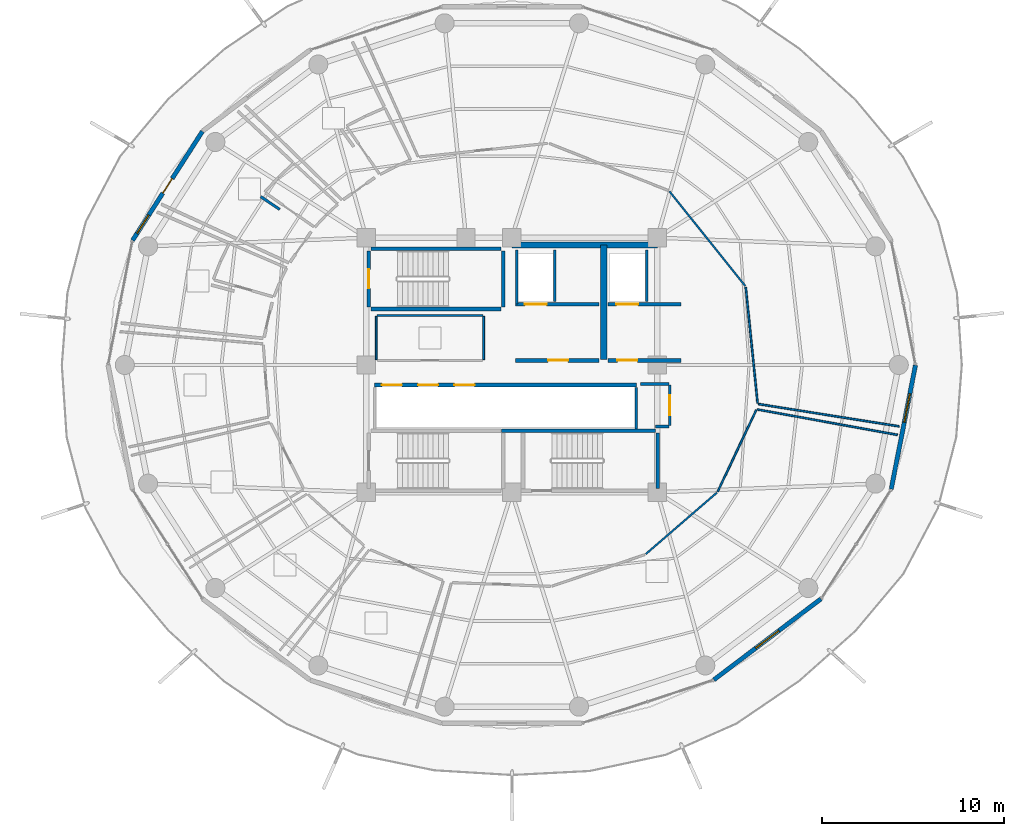
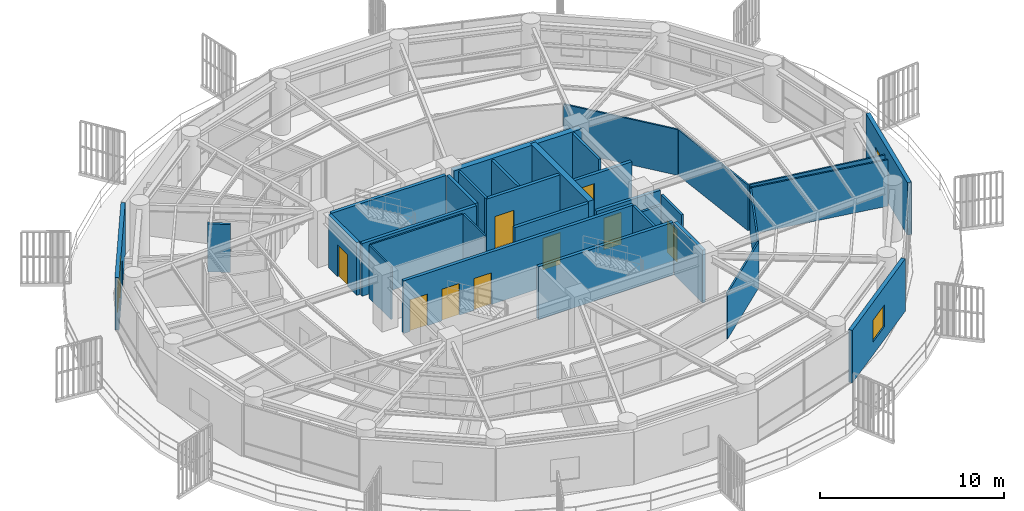
# One storey, part 25 of 31: 33 walls, 10 doors, 3 windows, 13 openings.
"""IFC4 building model written with IfcOpenShell, lengths in metres."""

from ifc_helpers import new_model, si_unit, direction, frame, frame_2d, origin, place, context, subcontext, project, spatial, rectangle, extrude, material, layer, layer_set, type_object, element, fill, save


model = new_model("IFC4")

# Units and contexts
model_context = context("Model", 3, precision=1e-05, world=origin(), true_north=direction((0.0, 1.0)))
body_context = subcontext(model_context, "Body", "Model", "MODEL_VIEW")
ifc_project = project(units=[si_unit("LENGTHUNIT", "METRE"), si_unit("AREAUNIT", "SQUARE_METRE"), si_unit("VOLUMEUNIT", "CUBIC_METRE"), si_unit("PLANEANGLEUNIT", "RADIAN"), si_unit("MASSUNIT", "GRAM", prefix="KILO")], contexts=[model_context])

# Site, building, storey
site_placement = place(None, origin())
site = spatial("IfcSite", under=ifc_project, at=site_placement, CompositionType="ELEMENT")
building_placement = place(site_placement, origin())
building = spatial("IfcBuilding", under=site, at=building_placement, Name="Kelanora Arch Commons", CompositionType="ELEMENT")
storey_placement = place(building_placement, frame((0.0, 0.0, 223.199951171875)))
storey = spatial("IfcBuildingStorey", under=building, at=storey_placement, Name="L57", CompositionType="ELEMENT", Elevation=223.199951171875)

# Walls
ifc_material_1 = material(Name="Autoclaved aerated concrete blockwork with fire plaster", Category="masonry")
ifc_layer_1 = layer(ifc_material_1, 0.14990234375)
ifc_layer_set_1 = layer_set([ifc_layer_1], Name="Autoclaved aerated concrete blockwork with fire plaster")
wall_type_1 = type_object("IfcWallType", Name="W-COMP-150", PredefinedType="PARTITIONING", material=ifc_layer_set_1)
wall_1_placement = place(storey_placement, frame((74.280029296875, 61.35009765625, 0.0), z_axis=(0.0, 0.0, 1.0), x_axis=(0.0, 1.0, 0.0)))
element("IfcWall", 1, at=wall_1_placement, inside=storey, type_object=wall_type_1, Name="Firefighting Lift 1 West Shaft Wall L57", PredefinedType="PARTITIONING", context=body_context, shape_type="SweptSolid", body=[
    extrude(rectangle(XDim=2.969970703125, YDim=0.14990234375, at=frame_2d((1.48486328125, 0.0))), origin(), (0.0, 0.0, 1.0), 3.47998046875),
])
for number, where, z_axis, x_axis, name in (
    (2, (76.360107421875, 61.47998046875, 0.0), (0.0, 0.0, 1.0), (0.0, 1.0, 0.0), "Firefighting Lift 1 East Shaft Wall L57"),
    (3, (81.419921875, 61.47998046875, 0.0), (0.0, 0.0, 1.0), (0.0, 1.0, 0.0), "Firefighting Lift 2 East Shaft Wall L57"),
):
    element("IfcWall", number, at=place(storey_placement, frame(where, z_axis=z_axis, x_axis=x_axis)), inside=storey, type_object=wall_type_1, Name=name, PredefinedType="PARTITIONING", context=body_context, shape_type="SweptSolid", body=[
        extrude(rectangle(XDim=2.840087890625, YDim=0.14990234375, at=frame_2d((1.419921875, 0.0))), origin(), (0.0, 0.0, 1.0), 3.47998046875),
    ])
wall_2_placement = place(storey_placement, frame((80.840087890625, 54.47998046875, 0.0), z_axis=(0.0, 0.0, 1.0), x_axis=(0.0, 1.0, 0.0)))
element("IfcWall", 4, at=wall_2_placement, inside=storey, type_object=wall_type_1, Name="South Lift Bank East Wall L57", PredefinedType="PARTITIONING", context=body_context, shape_type="SweptSolid", body=[
    extrude(rectangle(XDim=2.2900390625, YDim=0.14990234375, at=frame_2d((1.14501953125, 0.0))), origin(), (0.0, 0.0, 1.0), 3.47998046875),
])

# Wall, opening, door
wall_3_placement = place(storey_placement, frame((82.679931640625, 54.679931640625, 0.0), z_axis=(0.0, 0.0, 1.0), x_axis=(0.0, 1.0, 0.0)))
wall_3 = element("IfcWall", 5, at=wall_3_placement, inside=storey, type_object=wall_type_1, Name="Core Housekeeping Store L57 Entry Partition", PredefinedType="PARTITIONING", context=body_context, shape_type="SweptSolid", body=[
    extrude(rectangle(XDim=2.2099609375, YDim=0.14990234375, at=frame_2d((1.10498046875, 0.0))), origin(), (0.0, 0.0, 1.0), 3.47998046875),
])
opening_1_placement = place(wall_3_placement, frame((0.56494140625, 0.0, 0.0)))
opening_1 = element("IfcOpeningElement", 6, at=opening_1_placement, cuts=wall_3, Name="Opening D-PLT1", PredefinedType="OPENING", context=body_context, shape_type="SweptSolid", body=[
    extrude(rectangle(XDim=1.080078125, YDim=2.10009765625, at=frame_2d((0.5400390625, 1.050048828125))), frame((0.0, 0.0849609375, 0.0), z_axis=(0.0, -1.0, 0.0), x_axis=(1.0, 0.0, 0.0)), (0.0, 0.0, 1.0), 0.169921875),
])
ifc_material_2 = material(Name="Galvanised steel plant and riser fire door", Category="steel")
door_type_1 = type_object("IfcDoorType", Name="D-PLT-110", OperationType="NOTDEFINED", PredefinedType="DOOR", material=ifc_material_2)
door_1_placement = place(opening_1_placement, origin())
door_1 = element("IfcDoor", 7, at=door_1_placement, inside=storey, type_object=door_type_1, Name="Core Housekeeping Store L57 Door", OperationType="SINGLE_SWING_LEFT", OverallHeight=2.10009765625, OverallWidth=1.080078125, PredefinedType="DOOR", context=body_context, shape_type="SweptSolid", body=[
    extrude(rectangle(XDim=1.080078125, YDim=2.10009765625, at=frame_2d((0.5400390625, 1.050048828125))), frame((0.0, 0.02490234375, 0.0), z_axis=(0.0, -1.0, 0.0), x_axis=(1.0, 0.0, 0.0)), (0.0, 0.0, 1.0), 0.050048828125),
])
fill(opening_1, door_1)

# Walls
wall_4_placement = place(storey_placement, frame((81.89990234375, 54.6201171875, 0.0), z_axis=(0.0, 0.0, 1.0), x_axis=(1.0, 0.0, 0.0)))
element("IfcWall", 8, at=wall_4_placement, inside=storey, type_object=wall_type_1, Name="Core Housekeeping Store L57 Enclosure Partition 1", PredefinedType="PARTITIONING", context=body_context, shape_type="SweptSolid", body=[
    extrude(rectangle(XDim=0.739990234375, YDim=0.14990234375, at=frame_2d((0.3701171875, 0.0))), origin(), (0.0, 0.0, 1.0), 2.775146484375),
])
wall_5_placement = place(storey_placement, frame((82.639892578125, 56.949951171875, 0.0), z_axis=(0.0, 0.0, 1.0), x_axis=(-1.0, 0.0, 0.0)))
element("IfcWall", 9, at=wall_5_placement, inside=storey, type_object=wall_type_1, Name="Core Housekeeping Store L57 Enclosure Partition 3", PredefinedType="PARTITIONING", context=body_context, shape_type="SweptSolid", body=[
    extrude(rectangle(XDim=1.5498046875, YDim=0.14990234375, at=frame_2d((0.77490234375, 0.0))), origin(), (0.0, 0.0, 1.0), 2.775146484375),
])
wall_6_placement = place(storey_placement, frame((60.1953125, 67.255615234375, 0.0), z_axis=(0.0, 0.0, 1.0), x_axis=(0.830279043522, -0.557347925347, 0.0)))
element("IfcWall", 10, at=wall_6_placement, inside=storey, type_object=wall_type_1, Name="Cluster Bedroom L57-02 Enclosure Partition 7", PredefinedType="PARTITIONING", context=body_context, shape_type="SweptSolid", body=[
    extrude(rectangle(XDim=1.254150390625, YDim=0.14990234375, at=frame_2d((0.626953125, 0.0))), origin(), (0.0, 0.0, 1.0), 3.175048828125),
])
ifc_material_3 = material(Name="Concrete C50/60", Category="concrete")
ifc_layer_2 = layer(ifc_material_3, 0.35009765625)
ifc_layer_set_2 = layer_set([ifc_layer_2], Name="Concrete C50/60")
wall_type_2 = type_object("IfcWallType", Name="W-CORE-350", PredefinedType="SHEAR", material=ifc_layer_set_2)
wall_7_placement = place(storey_placement, frame((74.0, 64.60009765625, 0.0), z_axis=(0.0, 0.0, 1.0), x_axis=(1.0, 0.0, 0.0)))
element("IfcWall", 11, at=wall_7_placement, inside=storey, type_object=wall_type_2, Name="Core Shear Spine L57-CN-E", PredefinedType="SHEAR", context=body_context, shape_type="SweptSolid", body=[
    extrude(rectangle(XDim=8.0, YDim=0.35009765625, at=frame_2d((4.0, 0.0))), origin(), (0.0, 0.0, 1.0), 3.489990234375),
])
wall_8_placement = place(storey_placement, frame((79.050048828125, 58.300048828125, 0.0), z_axis=(0.0, 0.0, 1.0), x_axis=(0.0, 1.0, 0.0)))
element("IfcWall", 12, at=wall_8_placement, inside=storey, type_object=wall_type_2, Name="Core Shear Spine L57-CE-N", PredefinedType="SHEAR", context=body_context, shape_type="SweptSolid", body=[
    extrude(rectangle(XDim=6.300048828125, YDim=0.35009765625, at=frame_2d((3.14990234375, 0.0))), origin(), (0.0, 0.0, 1.0), 3.489990234375),
])

# Wall, openings, door, window
ifc_material_4 = material(Name="Precast concrete C40/50 upper-zone terracotta rainscreen", Category="masonry")
ifc_layer_3 = layer(ifc_material_4, 0.239990234375)
ifc_layer_set_3 = layer_set([ifc_layer_3], Name="Precast concrete C40/50 upper-zone terracotta rainscreen")
wall_type_3 = type_object("IfcWallType", Name="W-EXT-TC2", PredefinedType="SOLIDWALL", material=ifc_layer_set_3)
wall_9_placement = place(storey_placement, frame((56.985595703125, 70.84326171875, 0.0), z_axis=(0.0, 0.0, 1.0), x_axis=(-0.539539512973, -0.841960280501, 0.0)))
wall_9 = element("IfcWall", 13, at=wall_9_placement, inside=storey, type_object=wall_type_3, Name="Terracotta Exterior Wall L57-B07", PredefinedType="SOLIDWALL", context=body_context, shape_type="SweptSolid", body=[
    extrude(rectangle(XDim=7.11474609375, YDim=0.239990234375, at=frame_2d((3.557373046875, 0.0))), origin(), (0.0, 0.0, 1.0), 3.47509765625),
])
opening_2_placement = place(wall_9_placement, frame((3.08203125, 0.0, 0.0)))
opening_2 = element("IfcOpeningElement", 14, at=opening_2_placement, cuts=wall_9, Name="Opening DB-01", PredefinedType="OPENING", context=body_context, shape_type="SweptSolid", body=[
    extrude(rectangle(XDim=0.949951171875, YDim=2.10009765625, at=frame_2d((0.47509765625, 1.050048828125))), frame((0.0, 0.1298828125, 0.0), z_axis=(0.0, -1.0, 0.0), x_axis=(1.0, 0.0, 0.0)), (0.0, 0.0, 1.0), 0.260009765625),
])
opening_3_placement = place(wall_9_placement, frame((5.4619140625, 0.0, 0.85009765625)))
opening_3 = element("IfcOpeningElement", 15, at=opening_3_placement, cuts=wall_9, Name="Opening WN-02", PredefinedType="OPENING", context=body_context, shape_type="SweptSolid", body=[
    extrude(rectangle(XDim=1.199951171875, YDim=1.449951171875, at=frame_2d((0.60009765625, 0.72509765625))), frame((0.0, 0.1298828125, 0.0), z_axis=(0.0, -1.0, 0.0), x_axis=(1.0, 0.0, 0.0)), (0.0, 0.0, 1.0), 0.260009765625),
])
ifc_material_5 = material(Name="Terracotta-aluminium thermally broken glazed balcony door", Category="masonry")
door_type_2 = type_object("IfcDoorType", Name="D-BAL-10", OperationType="NOTDEFINED", PredefinedType="DOOR", material=ifc_material_5)
door_2_placement = place(opening_2_placement, frame((0.949951171875, 0.0, 0.0), z_axis=(0.0, 0.0, 1.0), x_axis=(-1.0, 0.0, 0.0)))
door_2 = element("IfcDoor", 16, at=door_2_placement, inside=storey, type_object=door_type_2, Name="Wave Balcony Door L57-B07", OperationType="SINGLE_SWING_LEFT", OverallHeight=2.10009765625, OverallWidth=0.949951171875, PredefinedType="DOOR", context=body_context, shape_type="SweptSolid", body=[
    extrude(rectangle(XDim=0.949951171875, YDim=2.10009765625, at=frame_2d((0.47509765625, 1.050048828125))), frame((0.0, 0.02490234375, 0.0), z_axis=(0.0, -1.0, 0.0), x_axis=(1.0, 0.0, 0.0)), (0.0, 0.0, 1.0), 0.050048828125),
])
fill(opening_2, door_2)
ifc_material_6 = material(Name="Terracotta-anodised aluminium frame with operable awning sash", Category="masonry")
window_type_1 = type_object("IfcWindowType", Name="WIN-CL-12", PartitioningType="SINGLE_PANEL", PredefinedType="WINDOW", material=ifc_material_6)
window_1_placement = place(opening_3_placement, origin())
window_1 = element("IfcWindow", 17, at=window_1_placement, inside=storey, type_object=window_type_1, Name="Co-Living Operable Window L57-B07", OverallHeight=1.449951171875, OverallWidth=1.199951171875, PartitioningType="SINGLE_PANEL", PredefinedType="WINDOW", context=body_context, shape_type="SweptSolid", body=[
    extrude(rectangle(XDim=1.199951171875, YDim=1.449951171875, at=frame_2d((0.60009765625, 0.72509765625))), frame((0.0, 0.030029296875, 0.0), z_axis=(0.0, -1.0, 0.0), x_axis=(1.0, 0.0, 0.0)), (0.0, 0.0, 1.0), 0.06005859375),
])
fill(opening_3, window_1)

# Wall, opening, window
wall_10_placement = place(storey_placement, frame((85.112060546875, 40.6884765625, 0.0), z_axis=(0.0, 0.0, 1.0), x_axis=(0.797701674595, 0.603052268338, 0.0)))
wall_10 = element("IfcWall", 18, at=wall_10_placement, inside=storey, type_object=wall_type_3, Name="Terracotta Exterior Wall L57-B15", PredefinedType="SOLIDWALL", context=body_context, shape_type="SweptSolid", body=[
    extrude(rectangle(XDim=7.373779296875, YDim=0.239990234375, at=frame_2d((3.68701171875, 0.0))), origin(), (0.0, 0.0, 1.0), 3.47509765625),
])
opening_4_placement = place(wall_10_placement, frame((2.886962890625, 0.0, 0.85009765625)))
opening_4 = element("IfcOpeningElement", 19, at=opening_4_placement, cuts=wall_10, Name="Opening WN-01", PredefinedType="OPENING", context=body_context, shape_type="SweptSolid", body=[
    extrude(rectangle(XDim=1.60009765625, YDim=1.449951171875, at=frame_2d((0.800048828125, 0.72509765625))), frame((0.0, 0.1298828125, 0.0), z_axis=(0.0, -1.0, 0.0), x_axis=(1.0, 0.0, 0.0)), (0.0, 0.0, 1.0), 0.260009765625),
])
ifc_material_7 = material(Name="Terracotta-anodised aluminium frame with operable low-E glazing", Category="masonry")
window_type_2 = type_object("IfcWindowType", Name="WIN-CL-18", PartitioningType="DOUBLE_PANEL_VERTICAL", PredefinedType="WINDOW", material=ifc_material_7)
window_2_placement = place(opening_4_placement, origin())
window_2 = element("IfcWindow", 20, at=window_2_placement, inside=storey, type_object=window_type_2, Name="Co-Living Operable Window L57-B15", OverallHeight=1.449951171875, OverallWidth=1.60009765625, PartitioningType="SINGLE_PANEL", PredefinedType="WINDOW", context=body_context, shape_type="SweptSolid", body=[
    extrude(rectangle(XDim=1.60009765625, YDim=1.449951171875, at=frame_2d((0.800048828125, 0.72509765625))), frame((0.0, 0.030029296875, 0.0), z_axis=(0.0, -1.0, 0.0), x_axis=(1.0, 0.0, 0.0)), (0.0, 0.0, 1.0), 0.06005859375),
])
fill(opening_4, window_2)

wall_11_placement = place(storey_placement, frame((94.864013671875, 51.17431640625, 0.0), z_axis=(0.0, 0.0, 1.0), x_axis=(0.192069055673, 0.981381413036, 0.0)))
wall_11 = element("IfcWall", 21, at=wall_11_placement, inside=storey, type_object=wall_type_3, Name="Terracotta Exterior Wall L57-B17", PredefinedType="SOLIDWALL", context=body_context, shape_type="SweptSolid", body=[
    extrude(rectangle(XDim=6.940185546875, YDim=0.239990234375, at=frame_2d((3.47021484375, 0.0))), origin(), (0.0, 0.0, 1.0), 3.47509765625),
])
opening_5_placement = place(wall_11_placement, frame((3.75, 0.0, 0.85009765625)))
opening_5 = element("IfcOpeningElement", 22, at=opening_5_placement, cuts=wall_11, Name="Opening WN-01", PredefinedType="OPENING", context=body_context, shape_type="SweptSolid", body=[
    extrude(rectangle(XDim=1.60009765625, YDim=1.449951171875, at=frame_2d((0.800048828125, 0.72509765625))), frame((0.0, 0.1298828125, 0.0), z_axis=(0.0, -1.0, 0.0), x_axis=(1.0, 0.0, 0.0)), (0.0, 0.0, 1.0), 0.260009765625),
])
window_3_placement = place(opening_5_placement, origin())
window_3 = element("IfcWindow", 23, at=window_3_placement, inside=storey, type_object=window_type_2, Name="Co-Living Operable Window L57-B17", OverallHeight=1.449951171875, OverallWidth=1.60009765625, PartitioningType="SINGLE_PANEL", PredefinedType="WINDOW", context=body_context, shape_type="SweptSolid", body=[
    extrude(rectangle(XDim=1.60009765625, YDim=1.449951171875, at=frame_2d((0.800048828125, 0.72509765625))), frame((0.0, 0.030029296875, 0.0), z_axis=(0.0, -1.0, 0.0), x_axis=(1.0, 0.0, 0.0)), (0.0, 0.0, 1.0), 0.06005859375),
])
fill(opening_5, window_3)

# Wall, opening, door
ifc_material_8 = material(Name="Concrete C40/50", Category="concrete")
ifc_layer_4 = layer(ifc_material_8, 0.199951171875)
ifc_layer_set_4 = layer_set([ifc_layer_4], Name="Concrete C40/50")
wall_type_4 = type_object("IfcWallType", Name="W-FFL-200", PredefinedType="SOLIDWALL", material=ifc_layer_set_4)
wall_12_placement = place(storey_placement, frame((74.199951171875, 61.35009765625, 0.0), z_axis=(0.0, 0.0, 1.0), x_axis=(1.0, 0.0, 0.0)))
wall_12 = element("IfcWall", 24, at=wall_12_placement, inside=storey, type_object=wall_type_4, Name="Firefighting Lift 1 Shaft Front L57", PredefinedType="SOLIDWALL", context=body_context, shape_type="SweptSolid", body=[
    extrude(rectangle(XDim=4.60009765625, YDim=0.199951171875, at=frame_2d((2.300048828125, 0.0))), origin(), (0.0, 0.0, 1.0), 3.47998046875),
])
opening_6_placement = place(wall_12_placement, frame((0.52001953125, 0.0, 0.0)))
opening_6 = element("IfcOpeningElement", 25, at=opening_6_placement, cuts=wall_12, Name="Opening LD-FF", PredefinedType="OPENING", context=body_context, shape_type="SweptSolid", body=[
    extrude(rectangle(XDim=1.199951171875, YDim=2.14990234375, at=frame_2d((0.60009765625, 1.074951171875))), frame((0.0, 0.10986328125, 0.0), z_axis=(0.0, -1.0, 0.0), x_axis=(1.0, 0.0, 0.0)), (0.0, 0.0, 1.0), 0.219970703125),
])
ifc_material_9 = material(Name="Fire-rated firefighters lift sliding landing door")
door_type_3 = type_object("IfcDoorType", Name="D-LIFT-FF", OperationType="NOTDEFINED", PredefinedType="DOOR", material=ifc_material_9)
door_3_placement = place(opening_6_placement, origin())
door_3 = element("IfcDoor", 26, at=door_3_placement, inside=storey, type_object=door_type_3, Name="Firefighting Lift LF-FF1 Landing Door L57", OperationType="DOUBLE_DOOR_SLIDING", OverallHeight=2.14990234375, OverallWidth=1.199951171875, PredefinedType="DOOR", context=body_context, shape_type="SweptSolid", body=[
    extrude(rectangle(XDim=1.199951171875, YDim=2.14990234375, at=frame_2d((0.60009765625, 1.074951171875))), frame((0.0, 0.02490234375, 0.0), z_axis=(0.0, -1.0, 0.0), x_axis=(1.0, 0.0, 0.0)), (0.0, 0.0, 1.0), 0.050048828125),
])
fill(opening_6, door_3)

wall_13_placement = place(storey_placement, frame((79.300048828125, 61.35009765625, 0.0), z_axis=(0.0, 0.0, 1.0), x_axis=(1.0, 0.0, 0.0)))
wall_13 = element("IfcWall", 27, at=wall_13_placement, inside=storey, type_object=wall_type_4, Name="Firefighting Lift 2 Shaft Front L57", PredefinedType="SOLIDWALL", context=body_context, shape_type="SweptSolid", body=[
    extrude(rectangle(XDim=4.0, YDim=0.199951171875, at=frame_2d((2.0, 0.0))), origin(), (0.0, 0.0, 1.0), 2.775146484375),
])
opening_7_placement = place(wall_13_placement, frame((0.449951171875, 0.0, 0.0)))
opening_7 = element("IfcOpeningElement", 28, at=opening_7_placement, cuts=wall_13, Name="Opening LD-FF", PredefinedType="OPENING", context=body_context, shape_type="SweptSolid", body=[
    extrude(rectangle(XDim=1.199951171875, YDim=2.14990234375, at=frame_2d((0.60009765625, 1.074951171875))), frame((0.0, 0.10986328125, 0.0), z_axis=(0.0, -1.0, 0.0), x_axis=(1.0, 0.0, 0.0)), (0.0, 0.0, 1.0), 0.219970703125),
])
door_4_placement = place(opening_7_placement, origin())
door_4 = element("IfcDoor", 29, at=door_4_placement, inside=storey, type_object=door_type_3, Name="Firefighting Lift LF-FF2 Landing Door L57", OperationType="DOUBLE_DOOR_SLIDING", OverallHeight=2.14990234375, OverallWidth=1.199951171875, PredefinedType="DOOR", context=body_context, shape_type="SweptSolid", body=[
    extrude(rectangle(XDim=1.199951171875, YDim=2.14990234375, at=frame_2d((0.60009765625, 1.074951171875))), frame((0.0, 0.02490234375, 0.0), z_axis=(0.0, -1.0, 0.0), x_axis=(1.0, 0.0, 0.0)), (0.0, 0.0, 1.0), 0.050048828125),
])
fill(opening_7, door_4)

wall_14_placement = place(storey_placement, frame((74.199951171875, 58.25, 0.0), z_axis=(0.0, 0.0, 1.0), x_axis=(1.0, 0.0, 0.0)))
wall_14 = element("IfcWall", 30, at=wall_14_placement, inside=storey, type_object=wall_type_4, Name="Firefighting Lobby 1 Enclosure Wall L57", PredefinedType="SOLIDWALL", context=body_context, shape_type="SweptSolid", body=[
    extrude(rectangle(XDim=4.60009765625, YDim=0.199951171875, at=frame_2d((2.300048828125, 0.0))), origin(), (0.0, 0.0, 1.0), 3.47998046875),
])
opening_8_placement = place(wall_14_placement, frame((1.800048828125, 0.0, 0.0)))
opening_8 = element("IfcOpeningElement", 31, at=opening_8_placement, cuts=wall_14, Name="Opening D-FFL1", PredefinedType="OPENING", context=body_context, shape_type="SweptSolid", body=[
    extrude(rectangle(XDim=1.10009765625, YDim=2.10009765625, at=frame_2d((0.550048828125, 1.050048828125))), frame((0.0, 0.10986328125, 0.0), z_axis=(0.0, -1.0, 0.0), x_axis=(1.0, 0.0, 0.0)), (0.0, 0.0, 1.0), 0.219970703125),
])
ifc_material_10 = material(Name="Smoke-sealed firefighting lobby fire door")
door_type_4 = type_object("IfcDoorType", Name="D-FFL-110", OperationType="NOTDEFINED", PredefinedType="DOOR", material=ifc_material_10)
door_5_placement = place(opening_8_placement, frame((1.10009765625, 0.0, 0.0), z_axis=(0.0, 0.0, 1.0), x_axis=(-1.0, 0.0, 0.0)))
door_5 = element("IfcDoor", 32, at=door_5_placement, inside=storey, type_object=door_type_4, Name="Firefighting Lobby 1 Door L57", OperationType="SINGLE_SWING_LEFT", OverallHeight=2.10009765625, OverallWidth=1.10009765625, PredefinedType="DOOR", context=body_context, shape_type="SweptSolid", body=[
    extrude(rectangle(XDim=1.10009765625, YDim=2.10009765625, at=frame_2d((0.550048828125, 1.050048828125))), frame((0.0, 0.02490234375, 0.0), z_axis=(0.0, -1.0, 0.0), x_axis=(1.0, 0.0, 0.0)), (0.0, 0.0, 1.0), 0.050048828125),
])
fill(opening_8, door_5)

wall_15_placement = place(storey_placement, frame((79.300048828125, 58.25, 0.0), z_axis=(0.0, 0.0, 1.0), x_axis=(1.0, 0.0, 0.0)))
wall_15 = element("IfcWall", 33, at=wall_15_placement, inside=storey, type_object=wall_type_4, Name="Firefighting Lobby 2 Enclosure Wall L57", PredefinedType="SOLIDWALL", context=body_context, shape_type="SweptSolid", body=[
    extrude(rectangle(XDim=4.0, YDim=0.199951171875, at=frame_2d((2.0, 0.0))), origin(), (0.0, 0.0, 1.0), 2.775146484375),
])
opening_9_placement = place(wall_15_placement, frame((0.5, 0.0, 0.0)))
opening_9 = element("IfcOpeningElement", 34, at=opening_9_placement, cuts=wall_15, Name="Opening D-FFL1", PredefinedType="OPENING", context=body_context, shape_type="SweptSolid", body=[
    extrude(rectangle(XDim=1.10009765625, YDim=2.10009765625, at=frame_2d((0.550048828125, 1.050048828125))), frame((0.0, 0.10986328125, 0.0), z_axis=(0.0, -1.0, 0.0), x_axis=(1.0, 0.0, 0.0)), (0.0, 0.0, 1.0), 0.219970703125),
])
door_6_placement = place(opening_9_placement, frame((1.10009765625, 0.0, 0.0), z_axis=(0.0, 0.0, 1.0), x_axis=(-1.0, 0.0, 0.0)))
door_6 = element("IfcDoor", 35, at=door_6_placement, inside=storey, type_object=door_type_4, Name="Firefighting Lobby 2 Door L57", OperationType="SINGLE_SWING_RIGHT", OverallHeight=2.10009765625, OverallWidth=1.10009765625, PredefinedType="DOOR", context=body_context, shape_type="SweptSolid", body=[
    extrude(rectangle(XDim=1.10009765625, YDim=2.10009765625, at=frame_2d((0.550048828125, 1.050048828125))), frame((0.0, 0.02490234375, 0.0), z_axis=(0.0, -1.0, 0.0), x_axis=(1.0, 0.0, 0.0)), (0.0, 0.0, 1.0), 0.050048828125),
])
fill(opening_9, door_6)

# Wall, openings, doors
wall_16_placement = place(storey_placement, frame((66.449951171875, 56.89990234375, 0.0), z_axis=(0.0, 0.0, 1.0), x_axis=(1.0, 0.0, 0.0)))
wall_16 = element("IfcWall", 36, at=wall_16_placement, inside=storey, type_object=wall_type_4, Name="Mid/High/Express Lift Shaft Front L57", PredefinedType="SOLIDWALL", context=body_context, shape_type="SweptSolid", body=[
    extrude(rectangle(XDim=14.400146484375, YDim=0.199951171875, at=frame_2d((7.2001953125, 0.0))), origin(), (0.0, 0.0, 1.0), 3.47998046875),
])
opening_10_placement = place(wall_16_placement, frame((0.39990234375, 0.0, 0.0)))
opening_10 = element("IfcOpeningElement", 37, at=opening_10_placement, cuts=wall_16, Name="Opening LD-01", PredefinedType="OPENING", context=body_context, shape_type="SweptSolid", body=[
    extrude(rectangle(XDim=1.10009765625, YDim=2.10009765625, at=frame_2d((0.550048828125, 1.050048828125))), frame((0.0, 0.10986328125, 0.0), z_axis=(0.0, -1.0, 0.0), x_axis=(1.0, 0.0, 0.0)), (0.0, 0.0, 1.0), 0.219970703125),
])
opening_11_placement = place(wall_16_placement, frame((2.39990234375, 0.0, 0.0)))
opening_11 = element("IfcOpeningElement", 38, at=opening_11_placement, cuts=wall_16, Name="Opening LD-01", PredefinedType="OPENING", context=body_context, shape_type="SweptSolid", body=[
    extrude(rectangle(XDim=1.10009765625, YDim=2.10009765625, at=frame_2d((0.550048828125, 1.050048828125))), frame((0.0, 0.10986328125, 0.0), z_axis=(0.0, -1.0, 0.0), x_axis=(1.0, 0.0, 0.0)), (0.0, 0.0, 1.0), 0.219970703125),
])
opening_12_placement = place(wall_16_placement, frame((4.39990234375, 0.0, 0.0)))
opening_12 = element("IfcOpeningElement", 39, at=opening_12_placement, cuts=wall_16, Name="Opening LD-01", PredefinedType="OPENING", context=body_context, shape_type="SweptSolid", body=[
    extrude(rectangle(XDim=1.10009765625, YDim=2.10009765625, at=frame_2d((0.550048828125, 1.050048828125))), frame((0.0, 0.10986328125, 0.0), z_axis=(0.0, -1.0, 0.0), x_axis=(1.0, 0.0, 0.0)), (0.0, 0.0, 1.0), 0.219970703125),
])
ifc_material_11 = material(Name="Stainless steel passenger lift sliding landing door", Category="steel")
door_type_5 = type_object("IfcDoorType", Name="D-LIFT-110", OperationType="NOTDEFINED", PredefinedType="DOOR", material=ifc_material_11)
door_7_placement = place(opening_10_placement, origin())
door_7 = element("IfcDoor", 40, at=door_7_placement, inside=storey, type_object=door_type_5, Name="Passenger Lift LF-P4 Landing Door L57", OperationType="DOUBLE_DOOR_SLIDING", OverallHeight=2.10009765625, OverallWidth=1.10009765625, PredefinedType="DOOR", context=body_context, shape_type="SweptSolid", body=[
    extrude(rectangle(XDim=1.10009765625, YDim=2.10009765625, at=frame_2d((0.550048828125, 1.050048828125))), frame((0.0, 0.02490234375, 0.0), z_axis=(0.0, -1.0, 0.0), x_axis=(1.0, 0.0, 0.0)), (0.0, 0.0, 1.0), 0.050048828125),
])
fill(opening_10, door_7)
door_8_placement = place(opening_11_placement, origin())
door_8 = element("IfcDoor", 41, at=door_8_placement, inside=storey, type_object=door_type_5, Name="Passenger Lift LF-P5 Landing Door L57", OperationType="DOUBLE_DOOR_SLIDING", OverallHeight=2.10009765625, OverallWidth=1.10009765625, PredefinedType="DOOR", context=body_context, shape_type="SweptSolid", body=[
    extrude(rectangle(XDim=1.10009765625, YDim=2.10009765625, at=frame_2d((0.550048828125, 1.050048828125))), frame((0.0, 0.02490234375, 0.0), z_axis=(0.0, -1.0, 0.0), x_axis=(1.0, 0.0, 0.0)), (0.0, 0.0, 1.0), 0.050048828125),
])
fill(opening_11, door_8)
door_9_placement = place(opening_12_placement, origin())
door_9 = element("IfcDoor", 42, at=door_9_placement, inside=storey, type_object=door_type_5, Name="Passenger Lift LF-P6 Landing Door L57", OperationType="DOUBLE_DOOR_SLIDING", OverallHeight=2.10009765625, OverallWidth=1.10009765625, PredefinedType="DOOR", context=body_context, shape_type="SweptSolid", body=[
    extrude(rectangle(XDim=1.10009765625, YDim=2.10009765625, at=frame_2d((0.550048828125, 1.050048828125))), frame((0.0, 0.02490234375, 0.0), z_axis=(0.0, -1.0, 0.0), x_axis=(1.0, 0.0, 0.0)), (0.0, 0.0, 1.0), 0.050048828125),
])
fill(opening_12, door_9)

# Walls
ifc_material_12 = material(Name="Lightweight fire-rated acoustic stud partition")
ifc_layer_5 = layer(ifc_material_12, 0.10009765625)
ifc_layer_set_5 = layer_set([ifc_layer_5], Name="Lightweight fire-rated acoustic stud partition")
wall_type_5 = type_object("IfcWallType", Name="W-PART-100", PredefinedType="PARTITIONING", material=ifc_layer_set_5)
wall_17_placement = place(storey_placement, frame((72.449951171875, 58.2900390625, 0.0), z_axis=(0.0, 0.0, 1.0), x_axis=(0.0, 1.0, 0.0)))
element("IfcWall", 43, at=wall_17_placement, inside=storey, type_object=wall_type_5, Name="Reclaimed Core Study Pod Lounge L57 Enclosure Partition 2", PredefinedType="PARTITIONING", context=body_context, shape_type="SweptSolid", body=[
    extrude(rectangle(XDim=2.389892578125, YDim=0.10009765625, at=frame_2d((1.19482421875, 0.0))), origin(), (0.0, 0.0, 1.0), 3.47998046875),
])
wall_18_placement = place(storey_placement, frame((72.409912109375, 60.719970703125, 0.0), z_axis=(0.0, 0.0, 1.0), x_axis=(-1.0, 0.0, 0.0)))
element("IfcWall", 44, at=wall_18_placement, inside=storey, type_object=wall_type_5, Name="Reclaimed Core Study Pod Lounge L57 Enclosure Partition 3", PredefinedType="PARTITIONING", context=body_context, shape_type="SweptSolid", body=[
    extrude(rectangle(XDim=5.81982421875, YDim=0.10009765625, at=frame_2d((2.909912109375, 0.0))), origin(), (0.0, 0.0, 1.0), 3.47998046875),
])
wall_19_placement = place(storey_placement, frame((66.550048828125, 60.679931640625, 0.0), z_axis=(0.0, 0.0, 1.0), x_axis=(0.0, -1.0, 0.0)))
element("IfcWall", 45, at=wall_19_placement, inside=storey, type_object=wall_type_5, Name="Reclaimed Core Study Pod Lounge L57 Enclosure Partition 4", PredefinedType="PARTITIONING", context=body_context, shape_type="SweptSolid", body=[
    extrude(rectangle(XDim=2.389892578125, YDim=0.10009765625, at=frame_2d((1.19482421875, 0.0))), origin(), (0.0, 0.0, 1.0), 3.47998046875),
])
wall_20_placement = place(storey_placement, frame((81.3671875, 47.60400390625, 0.0), z_axis=(0.0, 0.0, 1.0), x_axis=(0.756843194568, 0.653596495428, 0.0)))
element("IfcWall", 46, at=wall_20_placement, inside=storey, type_object=wall_type_5, Name="South-East Social Sky Lounge L57 Enclosure Partition 3", PredefinedType="PARTITIONING", context=body_context, shape_type="SweptSolid", body=[
    extrude(rectangle(XDim=5.166748046875, YDim=0.10009765625, at=frame_2d((2.58349609375, 0.0))), origin(), (0.0, 0.0, 1.0), 3.025146484375),
])
wall_21_placement = place(storey_placement, frame((85.3251953125, 51.043212890625, 0.0), z_axis=(0.0, 0.0, 1.0), x_axis=(0.426911240237, 0.904293532521, 0.0)))
element("IfcWall", 47, at=wall_21_placement, inside=storey, type_object=wall_type_5, Name="South-East Social Sky Lounge L57 Enclosure Partition 4", PredefinedType="PARTITIONING", context=body_context, shape_type="SweptSolid", body=[
    extrude(rectangle(XDim=4.958251953125, YDim=0.10009765625, at=frame_2d((2.47900390625, 0.0))), origin(), (0.0, 0.0, 1.0), 3.025146484375),
])
wall_22_placement = place(storey_placement, frame((87.498291015625, 55.555908203125, 0.0), z_axis=(0.0, 0.0, 1.0), x_axis=(0.983952512008, -0.178430530217, 0.0)))
element("IfcWall", 48, at=wall_22_placement, inside=storey, type_object=wall_type_5, Name="South-East Social Sky Lounge L57 Enclosure Partition 5", PredefinedType="PARTITIONING", context=body_context, shape_type="SweptSolid", body=[
    extrude(rectangle(XDim=7.840087890625, YDim=0.10009765625, at=frame_2d((3.919921875, 0.0))), origin(), (0.0, 0.0, 1.0), 3.074951171875),
])
wall_23_placement = place(storey_placement, frame((87.516845703125, 55.898681640625, 0.0), z_axis=(0.0, 0.0, 1.0), x_axis=(-0.101648252044, 0.994820402312, 0.0)))
element("IfcWall", 49, at=wall_23_placement, inside=storey, type_object=wall_type_5, Name="North-East Quiet Study Commons L57 Enclosure Partition 1", PredefinedType="PARTITIONING", context=body_context, shape_type="SweptSolid", body=[
    extrude(rectangle(XDim=6.412841796875, YDim=0.10009765625, at=frame_2d((3.20654296875, 0.0))), origin(), (0.0, 0.0, 1.0), 3.025146484375),
])
wall_24_placement = place(storey_placement, frame((86.8359375, 62.34912109375, 0.0), z_axis=(0.0, 0.0, 1.0), x_axis=(-0.625480735322, 0.780239610467, 0.0)))
element("IfcWall", 50, at=wall_24_placement, inside=storey, type_object=wall_type_5, Name="North-East Quiet Study Commons L57 Enclosure Partition 2", PredefinedType="PARTITIONING", context=body_context, shape_type="SweptSolid", body=[
    extrude(rectangle(XDim=6.666748046875, YDim=0.10009765625, at=frame_2d((3.33349609375, 0.0))), origin(), (0.0, 0.0, 1.0), 3.025146484375),
])
wall_25_placement = place(storey_placement, frame((95.3115234375, 54.623291015625, 0.0), z_axis=(0.0, 0.0, 1.0), x_axis=(-0.987651731417, 0.156665431505, 0.0)))
element("IfcWall", 51, at=wall_25_placement, inside=storey, type_object=wall_type_5, Name="North-East Quiet Study Commons L57 Enclosure Partition 10", PredefinedType="PARTITIONING", context=body_context, shape_type="SweptSolid", body=[
    extrude(rectangle(XDim=7.847900390625, YDim=0.10009765625, at=frame_2d((3.923828125, 0.0))), origin(), (0.0, 0.0, 1.0), 3.074951171875),
])
ifc_layer_6 = layer(ifc_material_8, 0.199951171875)
ifc_layer_set_6 = layer_set([ifc_layer_6], Name="Concrete C40/50")
wall_type_6 = type_object("IfcWallType", Name="W-STAIR-200", PredefinedType="SHEAR", material=ifc_layer_set_6)
wall_26_placement = place(storey_placement, frame((66.260009765625, 61.080078125, 0.0), z_axis=(0.0, 0.0, 1.0), x_axis=(1.0, 0.0, 0.0)))
element("IfcWall", 52, at=wall_26_placement, inside=storey, type_object=wall_type_6, Name="Stair ST-T1 Shaft Wall S L57", PredefinedType="SHEAR", context=body_context, shape_type="SweptSolid", body=[
    extrude(rectangle(XDim=7.159912109375, YDim=0.199951171875, at=frame_2d((3.580078125, 0.0))), origin(), (0.0, 0.0, 1.0), 3.489990234375),
])
wall_27_placement = place(storey_placement, frame((73.5400390625, 61.199951171875, 0.0), z_axis=(0.0, 0.0, 1.0), x_axis=(0.0, 1.0, 0.0)))
element("IfcWall", 53, at=wall_27_placement, inside=storey, type_object=wall_type_6, Name="Stair ST-T1 Shaft Wall E L57", PredefinedType="SHEAR", context=body_context, shape_type="SweptSolid", body=[
    extrude(rectangle(XDim=3.070068359375, YDim=0.199951171875, at=frame_2d((1.53515625, 0.0))), origin(), (0.0, 0.0, 1.0), 3.489990234375),
])
wall_28_placement = place(storey_placement, frame((73.419921875, 64.389892578125, 0.0), z_axis=(0.0, 0.0, 1.0), x_axis=(-1.0, 0.0, 0.0)))
element("IfcWall", 54, at=wall_28_placement, inside=storey, type_object=wall_type_6, Name="Stair ST-T1 Shaft Wall N L57", PredefinedType="SHEAR", context=body_context, shape_type="SweptSolid", body=[
    extrude(rectangle(XDim=7.159912109375, YDim=0.199951171875, at=frame_2d((3.580078125, 0.0))), origin(), (0.0, 0.0, 1.0), 3.489990234375),
])

# Wall, opening, door
wall_29_placement = place(storey_placement, frame((66.139892578125, 64.27001953125, 0.0), z_axis=(0.0, 0.0, 1.0), x_axis=(0.0, -1.0, 0.0)))
wall_29 = element("IfcWall", 55, at=wall_29_placement, inside=storey, type_object=wall_type_6, Name="Stair ST-T1 Shaft Wall W L57", PredefinedType="SHEAR", context=body_context, shape_type="SweptSolid", body=[
    extrude(rectangle(XDim=3.070068359375, YDim=0.199951171875, at=frame_2d((1.53515625, 0.0))), origin(), (0.0, 0.0, 1.0), 3.489990234375),
])
opening_13_placement = place(wall_29_placement, frame((1.010009765625, 0.0, 0.0)))
opening_13 = element("IfcOpeningElement", 56, at=opening_13_placement, cuts=wall_29, Name="Opening D-ST1", PredefinedType="OPENING", context=body_context, shape_type="SweptSolid", body=[
    extrude(rectangle(XDim=1.050048828125, YDim=2.10009765625, at=frame_2d((0.52490234375, 1.050048828125))), frame((0.0, 0.10986328125, 0.0), z_axis=(0.0, -1.0, 0.0), x_axis=(1.0, 0.0, 0.0)), (0.0, 0.0, 1.0), 0.219970703125),
])
ifc_material_13 = material(Name="Steel fire-rated stairwell escape door", Category="steel")
door_type_6 = type_object("IfcDoorType", Name="D-STAIR-110", OperationType="NOTDEFINED", PredefinedType="DOOR", material=ifc_material_13)
door_10_placement = place(opening_13_placement, origin())
door_10 = element("IfcDoor", 57, at=door_10_placement, inside=storey, type_object=door_type_6, Name="Stair ST-T1 Escape Door L57", OperationType="SINGLE_SWING_LEFT", OverallHeight=2.10009765625, OverallWidth=1.050048828125, PredefinedType="DOOR", context=body_context, shape_type="SweptSolid", body=[
    extrude(rectangle(XDim=1.050048828125, YDim=2.10009765625, at=frame_2d((0.52490234375, 1.050048828125))), frame((0.0, 0.02490234375, 0.0), z_axis=(0.0, -1.0, 0.0), x_axis=(1.0, 0.0, 0.0)), (0.0, 0.0, 1.0), 0.050048828125),
])
fill(opening_13, door_10)

# Walls
wall_30_placement = place(storey_placement, frame((82.02001953125, 51.199951171875, 0.0), z_axis=(0.0, 0.0, 1.0), x_axis=(0.0, 1.0, 0.0)))
element("IfcWall", 58, at=wall_30_placement, inside=storey, type_object=wall_type_6, Name="Stair ST-T2 Shaft Wall E L57", PredefinedType="SHEAR", context=body_context, shape_type="SweptSolid", body=[
    extrude(rectangle(XDim=3.070068359375, YDim=0.199951171875, at=frame_2d((1.53515625, 0.0))), origin(), (0.0, 0.0, 1.0), 3.489990234375),
])
wall_31_placement = place(storey_placement, frame((81.89990234375, 54.389892578125, 0.0), z_axis=(0.0, 0.0, 1.0), x_axis=(-1.0, 0.0, 0.0)))
element("IfcWall", 59, at=wall_31_placement, inside=storey, type_object=wall_type_6, Name="Stair ST-T2 Shaft Wall N L57", PredefinedType="SHEAR", context=body_context, shape_type="SweptSolid", body=[
    extrude(rectangle(XDim=8.4599609375, YDim=0.199951171875, at=frame_2d((4.22998046875, 0.0))), origin(), (0.0, 0.0, 1.0), 3.489990234375),
])

save(model, "model.ifc")
